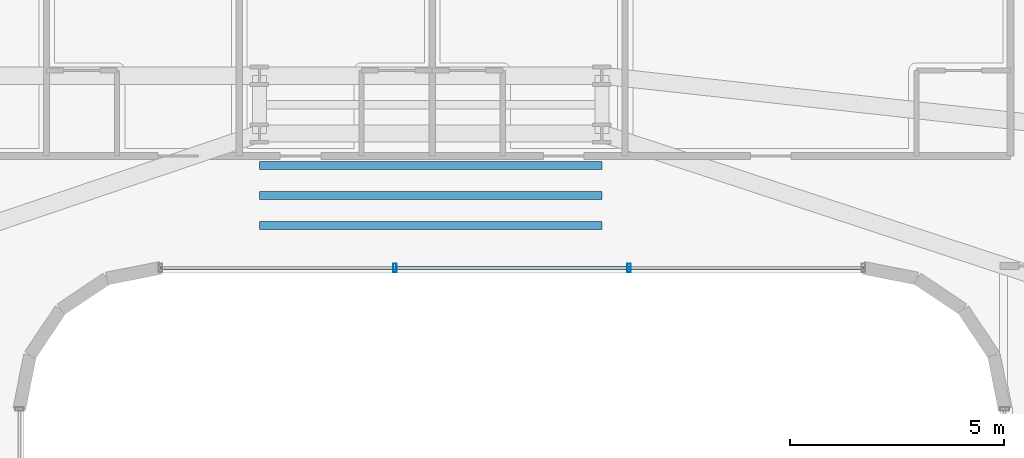
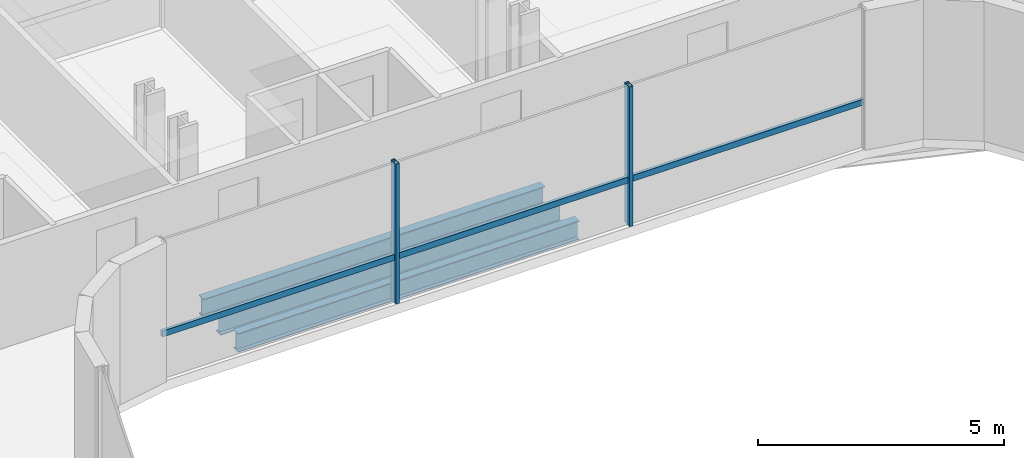
# One storey, part 15 of 40: 3 beams, 3 members, 1 element without a shape of its own.
"""IFC4 building model written with IfcOpenShell, lengths in metres."""

from ifc_helpers import new_model, si_unit, direction, frame, origin, origin_2d, place, context, subcontext, project, spatial, hollow_rectangle, i_section, extrude, source, transform, mapped, material, material_profile, profile_set, type_object, element, aggregate, save


model = new_model("IFC4")

# Units and contexts
model_context = context("Model", 3, precision=1e-05, world=origin(), true_north=direction((0.0, 1.0)))
body_context = subcontext(model_context, "Body", "Model", "MODEL_VIEW")
ifc_project = project(units=[si_unit("LENGTHUNIT", "METRE"), si_unit("AREAUNIT", "SQUARE_METRE"), si_unit("VOLUMEUNIT", "CUBIC_METRE"), si_unit("PLANEANGLEUNIT", "RADIAN"), si_unit("MASSUNIT", "GRAM", prefix="KILO")], contexts=[model_context])

# Site, building, storey
site_placement = place(None, origin())
site = spatial("IfcSite", under=ifc_project, at=site_placement, CompositionType="ELEMENT")
building_placement = place(site_placement, origin())
building = spatial("IfcBuilding", under=site, at=building_placement, Name="Valdorenza Pilgrim Sanctuary Tower", CompositionType="ELEMENT")
storey_placement = place(building_placement, frame((0.0, 0.0, 92.60009765625)))
storey = spatial("IfcBuildingStorey", under=building, at=storey_placement, Name="L23", CompositionType="ELEMENT", Elevation=92.60009765625)

# Beams
ifc_material_1 = material(Name="Steel ASTM A992 Grade 50", Category="steel")
ifc_material_profile_1 = material_profile(ifc_material_1, i_section(OverallWidth=0.193115234375, OverallDepth=0.466064453125, WebThickness=0.011474609375, FlangeThickness=0.01904296875, at=origin_2d()), Name="W18X65")
ifc_profile_set_1 = profile_set([ifc_material_profile_1], Name="Steel ASTM A992 Grade 50")
beam_type = type_object("IfcBeamType", Name="STR-BM-JST-W18A", PredefinedType="JOIST", material=ifc_profile_set_1)
shared_shape_1 = source(origin(), body_context, "Body", "SweptSolid", [
    extrude(i_section(OverallWidth=0.193115234375, OverallDepth=0.466064453125, WebThickness=0.011474609375, FlangeThickness=0.01904296875, at=origin_2d()), origin(), (0.0, 0.0, 1.0), 8.0),
])
for number, where, z_axis, x_axis, name in (
    (1, (-4.0, 11.300048828125, -0.47314453125), (1.0, 0.0, 0.0), (0.0, 1.0, 0.0), "L23 Knuckle Composite Joist JST-KNK-1"),
    (2, (-4.0, 12.0, -0.47314453125), (1.0, 0.0, 0.0), (0.0, 1.0, 0.0), "L23 Knuckle Composite Joist JST-KNK-2"),
    (3, (-4.0, 12.699951171875, -0.47314453125), (1.0, 0.0, 0.0), (0.0, 1.0, 0.0), "L23 Knuckle Composite Joist JST-KNK-3"),
):
    element("IfcBeam", number, at=place(storey_placement, frame(where, z_axis=z_axis, x_axis=x_axis)), inside=storey, type_object=beam_type, Name=name, PredefinedType="JOIST", context=body_context, shape_type="MappedRepresentation", body=[
        mapped(shared_shape_1, transform((0.0, 0.0, 0.0), x_axis=(1.0, 0.0, 0.0), y_axis=(0.0, 1.0, 0.0), z_axis=(0.0, 0.0, 1.0), scale=1.0)),
    ])

# Curtain wall, members
ifc_material_2 = material(Name="Curtain-wall IGU glazing", Category="glass")
curtain_wall_type = type_object("IfcCurtainWallType", Name="CW-SYS-02", PredefinedType="NOTDEFINED", material=ifc_material_2)
curtain_wall_placement = place(storey_placement, origin())
curtain_wall = element("IfcCurtainWall", 4, at=curtain_wall_placement, inside=storey, type_object=curtain_wall_type, Name="L23 Curtain Wall CW-L23-1-36", PredefinedType="NOTDEFINED")
ifc_material_3 = material(Name="Anodised aluminium AW-6060", Category="aluminium")
ifc_material_profile_2 = material_profile(ifc_material_3, hollow_rectangle(XDim=0.0849609375, YDim=0.199951171875, WallThickness=0.0048828125, at=origin_2d()), Name="ALU-M 200x85x5")
ifc_profile_set_2 = profile_set([ifc_material_profile_2], Name="Anodised aluminium AW-6060")
member_type_1 = type_object("IfcMemberType", Name="CW-MUL-02", PredefinedType="MULLION", material=ifc_profile_set_2)
shared_shape_2 = source(origin(), body_context, "Body", "SweptSolid", [
    extrude(hollow_rectangle(XDim=0.0849609375, YDim=0.199951171875, WallThickness=0.0048828125, at=origin_2d()), origin(), (0.0, 0.0, 1.0), 3.4599609375),
])
member_1_placement = place(storey_placement, frame((4.636962890625, 10.31005859375, 0.0), z_axis=(0.0, 0.0, 1.0), x_axis=(-1.0, 0.0, 0.0)))
member_1 = element("IfcMember", 5, at=member_1_placement, type_object=member_type_1, Name="CW-L23-1-36 Mullion 2", PredefinedType="MULLION", context=body_context, shape_type="MappedRepresentation", body=[
    mapped(shared_shape_2, transform((0.0, 0.0, 0.0), x_axis=(1.0, 0.0, 0.0), y_axis=(0.0, 1.0, 0.0), z_axis=(0.0, 0.0, 1.0), scale=1.0)),
])
member_2_placement = place(storey_placement, frame((-0.8369140625, 10.31005859375, 0.0), z_axis=(0.0, 0.0, 1.0), x_axis=(-1.0, 0.0, 0.0)))
member_2 = element("IfcMember", 6, at=member_2_placement, type_object=member_type_1, Name="CW-L23-1-36 Mullion 3", PredefinedType="MULLION", context=body_context, shape_type="MappedRepresentation", body=[
    mapped(shared_shape_2, transform((0.0, 0.0, 0.0), x_axis=(1.0, 0.0, 0.0), y_axis=(0.0, 1.0, 0.0), z_axis=(0.0, 0.0, 1.0), scale=1.0)),
])
ifc_material_profile_3 = material_profile(ifc_material_3, hollow_rectangle(XDim=0.074951171875, YDim=0.14990234375, WallThickness=0.00390625, at=origin_2d()), Name="ALU-T 150x75x4")
ifc_profile_set_3 = profile_set([ifc_material_profile_3], Name="Anodised aluminium AW-6060")
member_type_2 = type_object("IfcMemberType", Name="CW-TRN-02", PredefinedType="USERDEFINED", material=ifc_profile_set_3)
shared_shape_3 = source(origin(), body_context, "Body", "SweptSolid", [
    extrude(hollow_rectangle(XDim=0.074951171875, YDim=0.14990234375, WallThickness=0.00390625, at=origin_2d()), origin(), (0.0, 0.0, 1.0), 16.421630859375),
])
member_3_placement = place(storey_placement, frame((10.11083984375, 10.31005859375, 1.119873046875), z_axis=(-1.0, 0.0, 0.0), x_axis=(0.0, -1.0, 0.0)))
member_3 = element("IfcMember", 7, at=member_3_placement, type_object=member_type_2, Name="CW-L23-1-36 Transom 1", ObjectType="TRANSOM", PredefinedType="USERDEFINED", context=body_context, shape_type="MappedRepresentation", body=[
    mapped(shared_shape_3, transform((0.0, 0.0, 0.0), x_axis=(1.0, 0.0, 0.0), y_axis=(0.0, 1.0, 0.0), z_axis=(0.0, 0.0, 1.0), scale=1.0)),
])
aggregate(curtain_wall, [member_1, member_2, member_3])

save(model, "model.ifc")
